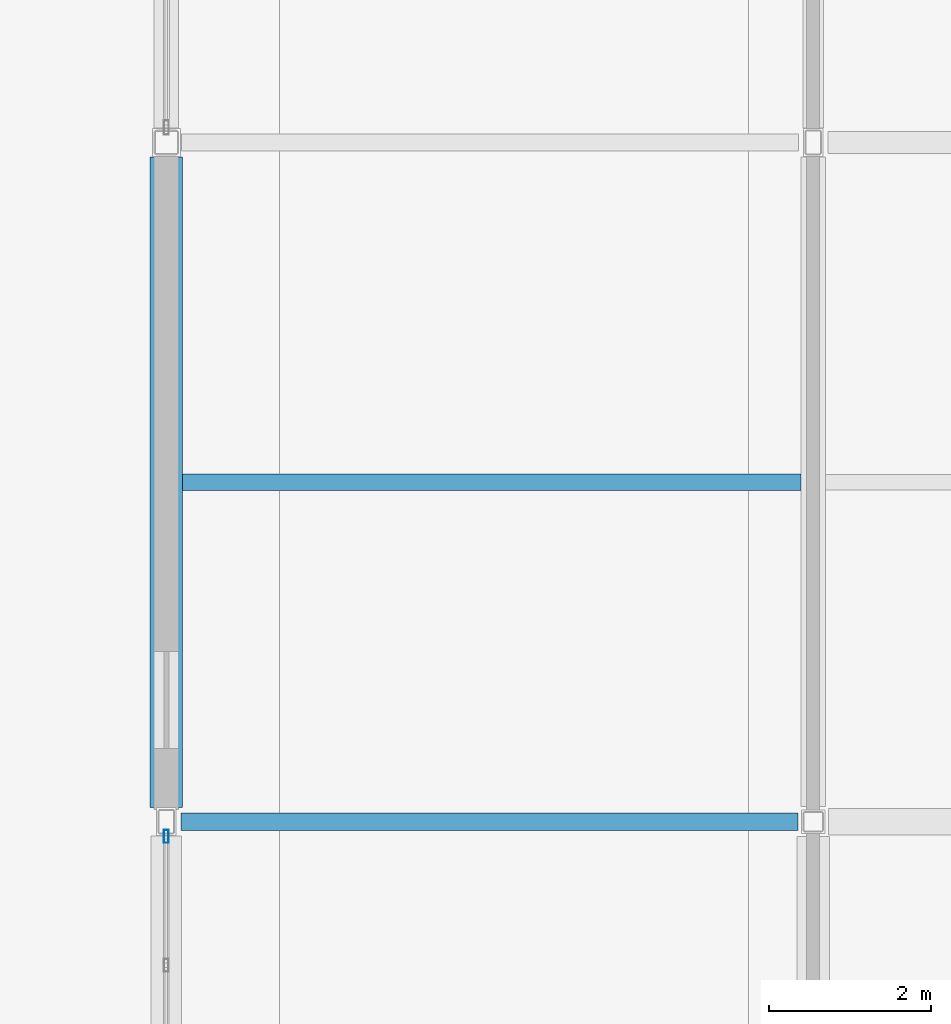
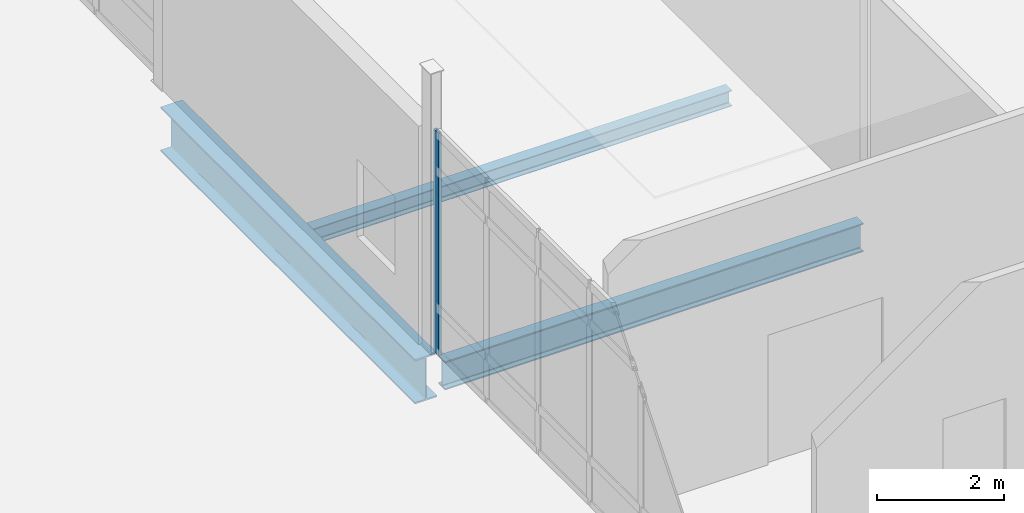
# One storey, part 58 of 229: 3 beams, 1 member, 1 element without a shape of its own.
"""IFC4 building model written with IfcOpenShell, lengths in metres."""

import ifcopenshell
import ifcopenshell.guid

model = None  # the IFC model being written
_history = None  # IfcOwnerHistory: only IFC2X3 demands one
_inside = {}  # id of a spatial element -> (the spatial element, [elements in it])
_under = {}  # id of a project, library or spatial element -> (it, [spatial elements below it])
_declared = {}  # id of a project -> (the project, [libraries it declares])
_typed = {}  # id of a type object -> (the type object, [elements of that type])
_made_of = {}  # id of a material, layer set ... -> (it, [elements and type objects made of it])


def new_model(schema):
    """Start an empty IFC model of exactly this schema.

    Asked for "IFC4X3", IfcOpenShell would pick the latest addendum, in which some entities
    have other attributes; the version numbers below select the first issue.
    IFC2X3 requires an IfcOwnerHistory on every rooted entity: one is made here for all.
    """
    global model, _history
    if schema == "IFC4X3":
        model = ifcopenshell.file(schema_version=(4, 3, 0, 0))
    else:
        model = ifcopenshell.file(schema=schema)
    _inside.clear()
    _under.clear()
    _declared.clear()
    _typed.clear()
    _made_of.clear()
    _history = None
    if model.schema == "IFC2X3":
        org = make("IfcOrganization", Name="unknown")
        user = make(
            "IfcPersonAndOrganization",
            ThePerson=make("IfcPerson", FamilyName="unknown"),
            TheOrganization=org,
        )
        app = make(
            "IfcApplication",
            ApplicationDeveloper=org,
            Version="unknown",
            ApplicationFullName="unknown",
            ApplicationIdentifier="unknown",
        )
        _history = make(
            "IfcOwnerHistory",
            OwningUser=user,
            OwningApplication=app,
            ChangeAction="ADDED",
            CreationDate=0,
        )
    return model


def make(cls, **values):
    """One entity of the class cls with the attributes given. An attribute that is None is left unset."""
    return model.create_entity(
        cls, **{name: value for name, value in values.items() if value is not None}
    )


def rooted(cls, **values):
    """An entity with a GlobalId (a new one), such as an element, a storey or a relation."""
    return make(cls, GlobalId=ifcopenshell.guid.new(), OwnerHistory=_history, **values)


def si_unit(unit_type, name, prefix=None):
    """IfcSIUnit, for example si_unit("LENGTHUNIT", "METRE", prefix="MILLI")."""
    return make("IfcSIUnit", UnitType=unit_type, Prefix=prefix, Name=name)


def assignment(units):
    """IfcUnitAssignment: the units of a project."""
    return None if units is None else make("IfcUnitAssignment", Units=units)


def point(xyz):
    """IfcCartesianPoint."""
    return None if xyz is None else make("IfcCartesianPoint", Coordinates=xyz)


def direction(xyz):
    """IfcDirection."""
    return None if xyz is None else make("IfcDirection", DirectionRatios=xyz)


def frame(location, z_axis=None, x_axis=None):
    """IfcAxis2Placement3D, a coordinate frame: its origin and axes. An axis left out is left unset."""
    return make(
        "IfcAxis2Placement3D",
        Location=point(location),
        Axis=direction(z_axis),
        RefDirection=direction(x_axis),
    )


def frame_2d(location, x_axis=None):
    """IfcAxis2Placement2D, a coordinate frame in the plane: its origin and x axis."""
    return make(
        "IfcAxis2Placement2D", Location=point(location), RefDirection=direction(x_axis)
    )


def origin():
    """The frame at (0, 0, 0) with its axes left unset."""
    return frame((0.0, 0.0, 0.0))


def origin_2d():
    """The frame at (0, 0) in the plane with its x axis left unset."""
    return frame_2d((0.0, 0.0))


def place(relative_to, where):
    """IfcLocalPlacement: puts the frame where relative to a parent placement (None: the world)."""
    return make(
        "IfcLocalPlacement", PlacementRelTo=relative_to, RelativePlacement=where
    )


def context(
    kind, dimensions, precision=None, world=None, true_north=None, identifier=None
):
    """IfcGeometricRepresentationContext, for example the 3D "Model" context."""
    return make(
        "IfcGeometricRepresentationContext",
        ContextIdentifier=identifier,
        ContextType=kind,
        CoordinateSpaceDimension=dimensions,
        Precision=precision,
        WorldCoordinateSystem=world,
        TrueNorth=true_north,
    )


def subcontext(parent, identifier, kind, view, scale=None):
    """IfcGeometricRepresentationSubContext, for example "Body" below "Model"."""
    return make(
        "IfcGeometricRepresentationSubContext",
        ContextIdentifier=identifier,
        ContextType=kind,
        ParentContext=parent,
        TargetScale=scale,
        TargetView=view,
    )


def project(units=None, contexts=None):
    """IfcProject with its units and contexts."""
    return rooted(
        "IfcProject",
        Name="project",
        RepresentationContexts=contexts,
        UnitsInContext=assignment(units),
    )


def spatial(cls, under=None, at=None, **own):
    """A site, building, storey or space (cls), placed at a placement, below another one or the project."""
    s = rooted(cls, ObjectPlacement=at, **own)
    if under is not None:
        _under.setdefault(under.id(), (under, []))[1].append(s)
    return s


def profile(cls, at=None, kind="AREA", **sizes):
    """A parametric profile (cls). Its sizes go by their IFC names, for example OverallWidth=200.0."""
    return make(cls, ProfileType=kind, Position=at, **sizes)


def hollow_rectangle(**sizes):
    """IfcRectangleHollowProfileDef."""
    return profile("IfcRectangleHollowProfileDef", **sizes)


def i_section(**sizes):
    """IfcIShapeProfileDef."""
    return profile("IfcIShapeProfileDef", **sizes)


def extrude(swept, where, along, depth):
    """IfcExtrudedAreaSolid: the profile swept, set in the frame where, extruded along a direction by depth."""
    return make(
        "IfcExtrudedAreaSolid",
        SweptArea=swept,
        Position=where,
        ExtrudedDirection=direction(along),
        Depth=depth,
    )


def shape(context_of_items, identifier, shape_type, items):
    """IfcShapeRepresentation: the items that make up one representation, for example the "Body"."""
    return make(
        "IfcShapeRepresentation",
        ContextOfItems=context_of_items,
        RepresentationIdentifier=identifier,
        RepresentationType=shape_type,
        Items=items,
    )


def material(Name=None, Category=None):
    """IfcMaterial."""
    return make("IfcMaterial", Name=Name, Category=Category)


def layer(
    of_material, thickness, ventilated=None, Name=None, Category=None, Priority=None
):
    """IfcMaterialLayer: one layer of a wall or slab, of a material (None: an air gap)."""
    return make(
        "IfcMaterialLayer",
        Material=of_material,
        LayerThickness=thickness,
        IsVentilated=ventilated,
        Name=Name,
        Category=Category,
        Priority=Priority,
    )


def layer_set(layers, Name=None):
    """IfcMaterialLayerSet."""
    return make("IfcMaterialLayerSet", MaterialLayers=layers, LayerSetName=Name)


def material_profile(
    of_material, cross_section, Name=None, Category=None, Priority=None
):
    """IfcMaterialProfile: a cross section and its material."""
    return make(
        "IfcMaterialProfile",
        Name=Name,
        Material=of_material,
        Profile=cross_section,
        Priority=Priority,
        Category=Category,
    )


def profile_set(profiles, Name=None, composite=None):
    """IfcMaterialProfileSet."""
    return make(
        "IfcMaterialProfileSet",
        Name=Name,
        MaterialProfiles=profiles,
        CompositeProfile=composite,
    )


def made_of(thing, what):
    """Note that an element or type object is made of a material, layer set ...; save() writes the relation."""
    if what is not None:
        _made_of.setdefault(what.id(), (what, []))[1].append(thing)
    return thing


def type_object(cls, material=None, **own):
    """A type object (cls), such as IfcWallType, which elements share."""
    return made_of(rooted(cls, **own), material)


def element(
    cls,
    number,
    at=None,
    inside=None,
    cuts=None,
    type_object=None,
    material=None,
    context=None,
    identifier="Body",
    shape_type=None,
    held_by="IfcProductDefinitionShape",
    body=None,
    shapes=None,
    **own,
):
    """One element of the class cls, such as IfcWall. Its Tag is "e" and its number.

    at: its placement. inside: the storey or other place that contains it. cuts: it is an
    opening in that element (IfcRelVoidsElement). A single representation is given by context,
    identifier, shape_type and body (its items); several are given by shapes. held_by: the class
    of the entity that holds the representations. save() writes the other relations.
    """
    e = rooted(cls, Tag="e%d" % number, ObjectPlacement=at, **own)
    if body is not None:
        shapes = [shape(context, identifier, shape_type, body)]
    if shapes is not None:
        e.Representation = make(held_by, Representations=shapes)
    if inside is not None:
        _inside.setdefault(inside.id(), (inside, []))[1].append(e)
    if cuts is not None:
        rooted(
            "IfcRelVoidsElement", RelatingBuildingElement=cuts, RelatedOpeningElement=e
        )
    if type_object is not None:
        _typed.setdefault(type_object.id(), (type_object, []))[1].append(e)
    return made_of(e, material)


def aggregate(whole, parts):
    """IfcRelAggregates: a whole, such as a stair, and the parts it consists of."""
    return rooted("IfcRelAggregates", RelatingObject=whole, RelatedObjects=parts)


def save(model, path):
    """Write the relations noted so far, then the file.

    IfcRelAggregates (storeys below a building ...), IfcRelContainedInSpatialStructure (elements
    in a storey), IfcRelDefinesByType, IfcRelAssociatesMaterial and IfcRelDeclares: one each for
    every whole, place, type object, material and project.
    """
    for whole, parts in _under.values():
        aggregate(whole, parts)
    for where, things in _inside.values():
        rooted(
            "IfcRelContainedInSpatialStructure",
            RelatedElements=things,
            RelatingStructure=where,
        )
    for kind, things in _typed.values():
        rooted("IfcRelDefinesByType", RelatedObjects=things, RelatingType=kind)
    for what, things in _made_of.values():
        rooted("IfcRelAssociatesMaterial", RelatedObjects=things, RelatingMaterial=what)
    for by, libraries in _declared.values():
        rooted("IfcRelDeclares", RelatingContext=by, RelatedDefinitions=libraries)
    model.write(path)


model = new_model("IFC4")

# Units and contexts
model_context = context("Model", 3, precision=1e-05, world=origin(), true_north=direction((0.0, 1.0)))
body_context = subcontext(model_context, "Body", "Model", "MODEL_VIEW")
ifc_project = project(units=[si_unit("LENGTHUNIT", "METRE"), si_unit("AREAUNIT", "SQUARE_METRE"), si_unit("VOLUMEUNIT", "CUBIC_METRE"), si_unit("PLANEANGLEUNIT", "RADIAN"), si_unit("MASSUNIT", "GRAM", prefix="KILO")], contexts=[model_context])

# Site, building, storey
site_placement = place(None, origin())
site = spatial("IfcSite", under=ifc_project, at=site_placement, CompositionType="ELEMENT")
building_placement = place(site_placement, origin())
building = spatial("IfcBuilding", under=site, at=building_placement, Name="Calvrana Isthmian Art Gallery", CompositionType="ELEMENT")
storey_placement = place(building_placement, origin())
storey = spatial("IfcBuildingStorey", under=building, at=storey_placement, Name="L00", CompositionType="ELEMENT", Elevation=0.0)

# Beams
ifc_material_1 = material(Name="Steel ASTM A992 Gr 50", Category="steel")
ifc_material_profile_1 = material_profile(ifc_material_1, i_section(OverallWidth=0.214111328125, OverallDepth=0.549072265625, WebThickness=0.0146484375, FlangeThickness=0.023681640625, FilletRadius=0.02099609375, at=origin_2d()), Name="W21X93")
ifc_profile_set_1 = profile_set([ifc_material_profile_1], Name="Steel ASTM A992 Gr 50")
beam_type_1 = type_object("IfcBeamType", Name="BM-G-W21X93", PredefinedType="BEAM", material=ifc_profile_set_1)
beam_1_placement = place(storey_placement, frame((96.583984375, 30.0, -0.5595703125), z_axis=(1.0, 0.0, 0.0), x_axis=(0.0, 1.0, 0.0)))
element("IfcBeam", 1, at=beam_1_placement, inside=storey, type_object=beam_type_1, Name="Girder X L00 13-14/E", PredefinedType="BEAM", context=body_context, shape_type="SweptSolid", body=[
    extrude(i_section(OverallWidth=0.214111328125, OverallDepth=0.549072265625, WebThickness=0.0146484375, FlangeThickness=0.023681640625, FilletRadius=0.02099609375, at=origin_2d()), origin(), (0.0, 0.0, 1.0), 7.62939453125),
])
ifc_material_profile_2 = material_profile(ifc_material_1, i_section(OverallWidth=0.40087890625, OverallDepth=0.85595703125, WebThickness=0.018310546875, FlangeThickness=0.029296875, FilletRadius=0.02587890625, at=origin_2d()), Name="W33X201")
ifc_profile_set_2 = profile_set([ifc_material_profile_2], Name="Steel ASTM A992 Gr 50")
beam_type_2 = type_object("IfcBeamType", Name="BM-G-W33X201", PredefinedType="BEAM", material=ifc_profile_set_2)
beam_2_placement = place(storey_placement, frame((96.39990234375, 30.177978515625, -0.712890625), z_axis=(0.0, 1.0, 0.0), x_axis=(-1.0, 0.0, 0.0)))
element("IfcBeam", 2, at=beam_2_placement, inside=storey, type_object=beam_type_2, Name="Girder Y L00 13/E-F", PredefinedType="BEAM", context=body_context, shape_type="SweptSolid", body=[
    extrude(i_section(OverallWidth=0.40087890625, OverallDepth=0.85595703125, WebThickness=0.018310546875, FlangeThickness=0.029296875, FilletRadius=0.02587890625, at=origin_2d()), origin(), (0.0, 0.0, 1.0), 8.04052734375),
])
ifc_material_profile_3 = material_profile(ifc_material_1, i_section(OverallWidth=0.202880859375, OverallDepth=0.302001953125, WebThickness=0.007568359375, FlangeThickness=0.01318359375, FilletRadius=0.01611328125, at=origin_2d()), Name="W12X40")
ifc_profile_set_3 = profile_set([ifc_material_profile_3], Name="Steel ASTM A992 Gr 50")
beam_type_3 = type_object("IfcBeamType", Name="BM-J-W12X40", PredefinedType="JOIST", material=ifc_profile_set_3)
beam_3_placement = place(storey_placement, frame((96.6005859375, 34.199951171875, -0.43603515625), z_axis=(1.0, 0.0, 0.0), x_axis=(0.0, 1.0, 0.0)))
element("IfcBeam", 3, at=beam_3_placement, inside=storey, type_object=beam_type_3, Name="Composite joist L00 bay 12-04", PredefinedType="JOIST", context=body_context, shape_type="SweptSolid", body=[
    extrude(i_section(OverallWidth=0.202880859375, OverallDepth=0.302001953125, WebThickness=0.007568359375, FlangeThickness=0.01318359375, FilletRadius=0.01611328125, at=origin_2d()), origin(), (0.0, 0.0, 1.0), 7.64599609375),
])

# Curtain wall, member
ifc_material_2 = material(Name="Anodized bronze aluminium 6063-T6", Category="aluminium")
ifc_layer = layer(ifc_material_2, 0.179931640625, Name="Anodized bronze aluminium 6063-T6")
ifc_layer_set = layer_set([ifc_layer], Name="Anodized bronze aluminium 6063-T6")
curtain_wall_type = type_object("IfcCurtainWallType", Name="CW-UNIT-081X43", PredefinedType="USERDEFINED", material=ifc_layer_set)
curtain_wall_placement = place(storey_placement, origin())
curtain_wall = element("IfcCurtainWall", 4, at=curtain_wall_placement, inside=storey, type_object=curtain_wall_type, Name="Curtain wall CW-073", ObjectType="UNITISED CURTAIN WALL", PredefinedType="USERDEFINED")
ifc_material_profile_4 = material_profile(ifc_material_2, hollow_rectangle(XDim=0.06005859375, YDim=0.159912109375, WallThickness=0.00390625, at=origin_2d()), Name="CWM60X160")
ifc_profile_set_4 = profile_set([ifc_material_profile_4], Name="Anodized bronze aluminium 6063-T6")
member_type = type_object("IfcMemberType", Name="CWM-CWM60X160", PredefinedType="MULLION", material=ifc_profile_set_4)
member_placement = place(storey_placement, frame((96.39990234375, 29.817626953125, 0.0), z_axis=(0.0, 0.0, 1.0), x_axis=(-1.0, 0.0, 0.0)))
member = element("IfcMember", 5, at=member_placement, type_object=member_type, Name="CW-073 mullion 6", PredefinedType="MULLION", context=body_context, shape_type="SweptSolid", body=[
    extrude(hollow_rectangle(XDim=0.06005859375, YDim=0.159912109375, WallThickness=0.00390625, at=origin_2d()), origin(), (0.0, 0.0, 1.0), 4.283935546875),
])
aggregate(curtain_wall, [member])

save(model, "model.ifc")
